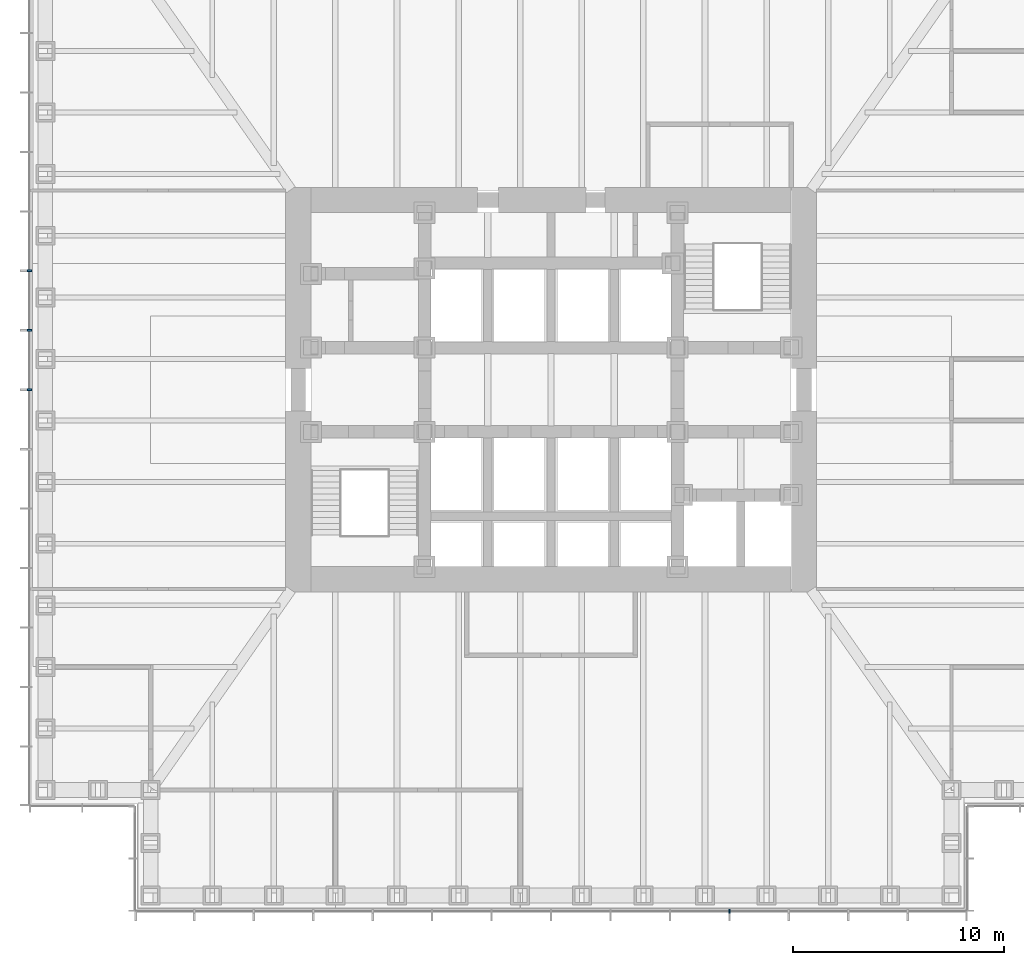
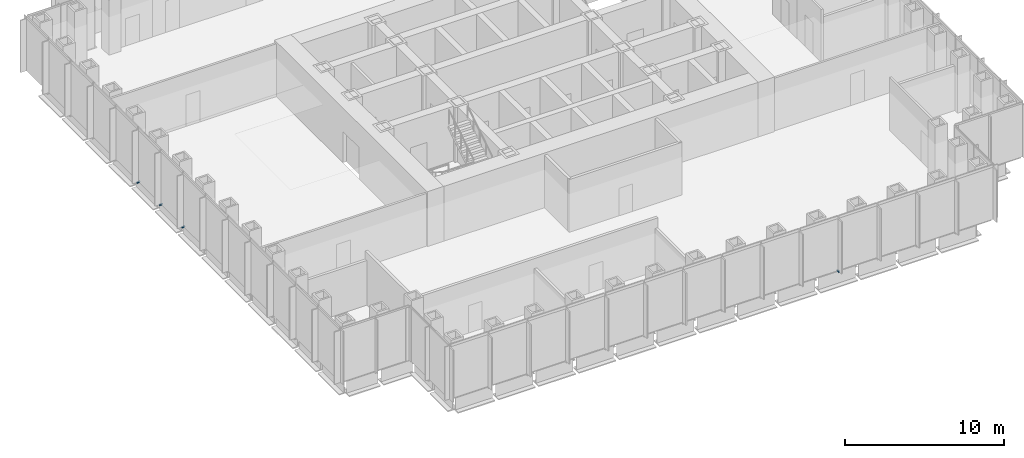
# One storey, part 13 of 17: 4 discrete accessories.
"""IFC4 building model written with IfcOpenShell, lengths in metres."""

from ifc_helpers import new_model, si_unit, direction, frame, origin, origin_2d, place, context, subcontext, project, spatial, rectangle, extrude, element, save


model = new_model("IFC4")

# Units and contexts
model_context = context("Model", 3, precision=1e-05, world=origin(), true_north=direction((0.0, 1.0)))
body_context = subcontext(model_context, "Body", "Model", "MODEL_VIEW")
ifc_project = project(units=[si_unit("LENGTHUNIT", "METRE"), si_unit("AREAUNIT", "SQUARE_METRE"), si_unit("VOLUMEUNIT", "CUBIC_METRE"), si_unit("PLANEANGLEUNIT", "RADIAN"), si_unit("MASSUNIT", "GRAM", prefix="KILO")], contexts=[model_context])

# Site, building, storey
site_placement = place(None, origin())
site = spatial("IfcSite", under=ifc_project, at=site_placement, CompositionType="ELEMENT")
building_placement = place(site_placement, origin())
building = spatial("IfcBuilding", under=site, at=building_placement, Name="Daluyong Arena Tower", CompositionType="ELEMENT")
storey_placement = place(building_placement, frame((0.0, 0.0, 60.10009765625)))
storey = spatial("IfcBuildingStorey", under=building, at=storey_placement, Name="L12", CompositionType="ELEMENT", Elevation=60.10009765625)

# Discrete accessories
for number, where, z_axis, x_axis, name in (
    (1, (64.46435546875, 55.25, -0.10009765625), (0.0, 0.0, 1.0), (1.0, 0.0, 0.0), "curtain wall L12 S anchor bracket 11"),
    (2, (31.25, 85.642822265625, -0.10009765625), (0.0, 0.0, 1.0), (0.0, -1.0, 0.0), "curtain wall L12 W anchor bracket 6"),
    (3, (31.25, 82.821533203125, -0.10009765625), (0.0, 0.0, 1.0), (0.0, -1.0, 0.0), "curtain wall L12 W anchor bracket 7"),
    (4, (31.25, 80.0, -0.10009765625), (0.0, 0.0, 1.0), (0.0, -1.0, 0.0), "curtain wall L12 W anchor bracket 8"),
):
    element("IfcDiscreteAccessory", number, at=place(storey_placement, frame(where, z_axis=z_axis, x_axis=x_axis)), inside=storey, Name=name, PredefinedType="BRACKET", context=body_context, shape_type="SweptSolid", body=[
        extrude(rectangle(XDim=0.080078125, YDim=0.199951171875, at=origin_2d()), origin(), (0.0, 0.0, 1.0), 0.10009765625),
    ])

save(model, "model.ifc")
